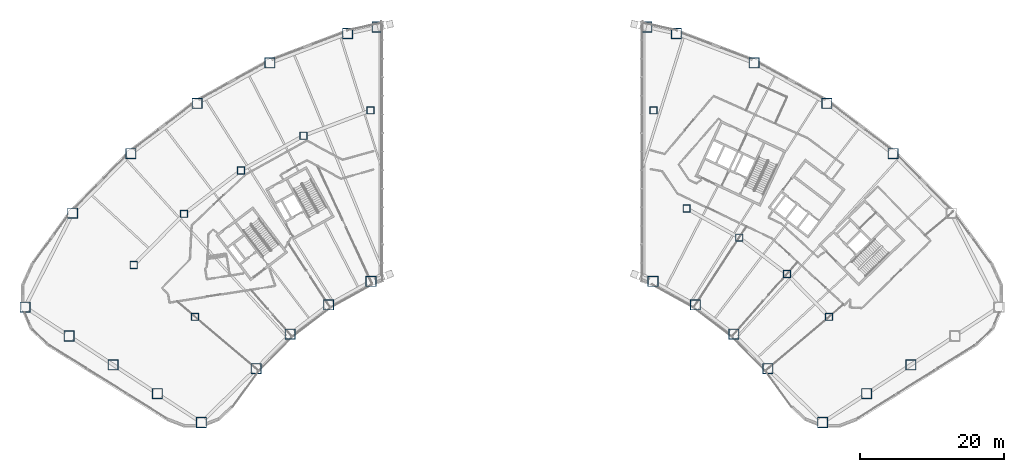
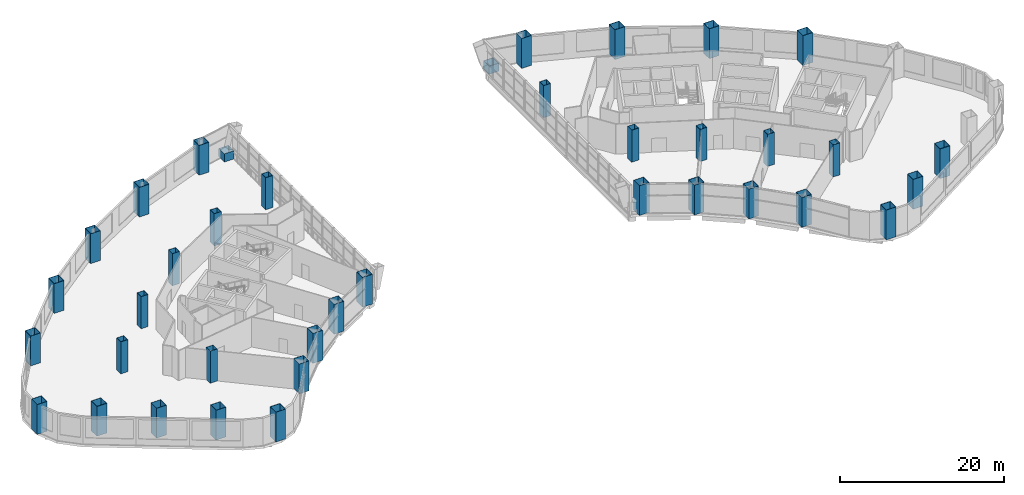
# One storey, part 1 of 26: 38 columns.
"""IFC4 building model written with IfcOpenShell, lengths in metres."""

import ifcopenshell
import ifcopenshell.guid

model = None  # the IFC model being written
_history = None  # IfcOwnerHistory: only IFC2X3 demands one
_inside = {}  # id of a spatial element -> (the spatial element, [elements in it])
_under = {}  # id of a project, library or spatial element -> (it, [spatial elements below it])
_declared = {}  # id of a project -> (the project, [libraries it declares])
_typed = {}  # id of a type object -> (the type object, [elements of that type])
_made_of = {}  # id of a material, layer set ... -> (it, [elements and type objects made of it])


def new_model(schema):
    """Start an empty IFC model of exactly this schema.

    Asked for "IFC4X3", IfcOpenShell would pick the latest addendum, in which some entities
    have other attributes; the version numbers below select the first issue.
    IFC2X3 requires an IfcOwnerHistory on every rooted entity: one is made here for all.
    """
    global model, _history
    if schema == "IFC4X3":
        model = ifcopenshell.file(schema_version=(4, 3, 0, 0))
    else:
        model = ifcopenshell.file(schema=schema)
    _inside.clear()
    _under.clear()
    _declared.clear()
    _typed.clear()
    _made_of.clear()
    _history = None
    if model.schema == "IFC2X3":
        org = make("IfcOrganization", Name="unknown")
        user = make(
            "IfcPersonAndOrganization",
            ThePerson=make("IfcPerson", FamilyName="unknown"),
            TheOrganization=org,
        )
        app = make(
            "IfcApplication",
            ApplicationDeveloper=org,
            Version="unknown",
            ApplicationFullName="unknown",
            ApplicationIdentifier="unknown",
        )
        _history = make(
            "IfcOwnerHistory",
            OwningUser=user,
            OwningApplication=app,
            ChangeAction="ADDED",
            CreationDate=0,
        )
    return model


def make(cls, **values):
    """One entity of the class cls with the attributes given. An attribute that is None is left unset."""
    return model.create_entity(
        cls, **{name: value for name, value in values.items() if value is not None}
    )


def rooted(cls, **values):
    """An entity with a GlobalId (a new one), such as an element, a storey or a relation."""
    return make(cls, GlobalId=ifcopenshell.guid.new(), OwnerHistory=_history, **values)


def si_unit(unit_type, name, prefix=None):
    """IfcSIUnit, for example si_unit("LENGTHUNIT", "METRE", prefix="MILLI")."""
    return make("IfcSIUnit", UnitType=unit_type, Prefix=prefix, Name=name)


def assignment(units):
    """IfcUnitAssignment: the units of a project."""
    return None if units is None else make("IfcUnitAssignment", Units=units)


def point(xyz):
    """IfcCartesianPoint."""
    return None if xyz is None else make("IfcCartesianPoint", Coordinates=xyz)


def direction(xyz):
    """IfcDirection."""
    return None if xyz is None else make("IfcDirection", DirectionRatios=xyz)


def frame(location, z_axis=None, x_axis=None):
    """IfcAxis2Placement3D, a coordinate frame: its origin and axes. An axis left out is left unset."""
    return make(
        "IfcAxis2Placement3D",
        Location=point(location),
        Axis=direction(z_axis),
        RefDirection=direction(x_axis),
    )


def frame_2d(location, x_axis=None):
    """IfcAxis2Placement2D, a coordinate frame in the plane: its origin and x axis."""
    return make(
        "IfcAxis2Placement2D", Location=point(location), RefDirection=direction(x_axis)
    )


def origin():
    """The frame at (0, 0, 0) with its axes left unset."""
    return frame((0.0, 0.0, 0.0))


def origin_2d():
    """The frame at (0, 0) in the plane with its x axis left unset."""
    return frame_2d((0.0, 0.0))


def place(relative_to, where):
    """IfcLocalPlacement: puts the frame where relative to a parent placement (None: the world)."""
    return make(
        "IfcLocalPlacement", PlacementRelTo=relative_to, RelativePlacement=where
    )


def context(
    kind, dimensions, precision=None, world=None, true_north=None, identifier=None
):
    """IfcGeometricRepresentationContext, for example the 3D "Model" context."""
    return make(
        "IfcGeometricRepresentationContext",
        ContextIdentifier=identifier,
        ContextType=kind,
        CoordinateSpaceDimension=dimensions,
        Precision=precision,
        WorldCoordinateSystem=world,
        TrueNorth=true_north,
    )


def subcontext(parent, identifier, kind, view, scale=None):
    """IfcGeometricRepresentationSubContext, for example "Body" below "Model"."""
    return make(
        "IfcGeometricRepresentationSubContext",
        ContextIdentifier=identifier,
        ContextType=kind,
        ParentContext=parent,
        TargetScale=scale,
        TargetView=view,
    )


def project(units=None, contexts=None):
    """IfcProject with its units and contexts."""
    return rooted(
        "IfcProject",
        Name="project",
        RepresentationContexts=contexts,
        UnitsInContext=assignment(units),
    )


def spatial(cls, under=None, at=None, **own):
    """A site, building, storey or space (cls), placed at a placement, below another one or the project."""
    s = rooted(cls, ObjectPlacement=at, **own)
    if under is not None:
        _under.setdefault(under.id(), (under, []))[1].append(s)
    return s


def profile(cls, at=None, kind="AREA", **sizes):
    """A parametric profile (cls). Its sizes go by their IFC names, for example OverallWidth=200.0."""
    return make(cls, ProfileType=kind, Position=at, **sizes)


def hollow_rectangle(**sizes):
    """IfcRectangleHollowProfileDef."""
    return profile("IfcRectangleHollowProfileDef", **sizes)


def extrude(swept, where, along, depth):
    """IfcExtrudedAreaSolid: the profile swept, set in the frame where, extruded along a direction by depth."""
    return make(
        "IfcExtrudedAreaSolid",
        SweptArea=swept,
        Position=where,
        ExtrudedDirection=direction(along),
        Depth=depth,
    )


def shape(context_of_items, identifier, shape_type, items):
    """IfcShapeRepresentation: the items that make up one representation, for example the "Body"."""
    return make(
        "IfcShapeRepresentation",
        ContextOfItems=context_of_items,
        RepresentationIdentifier=identifier,
        RepresentationType=shape_type,
        Items=items,
    )


def material(Name=None, Category=None):
    """IfcMaterial."""
    return make("IfcMaterial", Name=Name, Category=Category)


def material_profile(
    of_material, cross_section, Name=None, Category=None, Priority=None
):
    """IfcMaterialProfile: a cross section and its material."""
    return make(
        "IfcMaterialProfile",
        Name=Name,
        Material=of_material,
        Profile=cross_section,
        Priority=Priority,
        Category=Category,
    )


def profile_set(profiles, Name=None, composite=None):
    """IfcMaterialProfileSet."""
    return make(
        "IfcMaterialProfileSet",
        Name=Name,
        MaterialProfiles=profiles,
        CompositeProfile=composite,
    )


def made_of(thing, what):
    """Note that an element or type object is made of a material, layer set ...; save() writes the relation."""
    if what is not None:
        _made_of.setdefault(what.id(), (what, []))[1].append(thing)
    return thing


def type_object(cls, material=None, **own):
    """A type object (cls), such as IfcWallType, which elements share."""
    return made_of(rooted(cls, **own), material)


def element(
    cls,
    number,
    at=None,
    inside=None,
    cuts=None,
    type_object=None,
    material=None,
    context=None,
    identifier="Body",
    shape_type=None,
    held_by="IfcProductDefinitionShape",
    body=None,
    shapes=None,
    **own,
):
    """One element of the class cls, such as IfcWall. Its Tag is "e" and its number.

    at: its placement. inside: the storey or other place that contains it. cuts: it is an
    opening in that element (IfcRelVoidsElement). A single representation is given by context,
    identifier, shape_type and body (its items); several are given by shapes. held_by: the class
    of the entity that holds the representations. save() writes the other relations.
    """
    e = rooted(cls, Tag="e%d" % number, ObjectPlacement=at, **own)
    if body is not None:
        shapes = [shape(context, identifier, shape_type, body)]
    if shapes is not None:
        e.Representation = make(held_by, Representations=shapes)
    if inside is not None:
        _inside.setdefault(inside.id(), (inside, []))[1].append(e)
    if cuts is not None:
        rooted(
            "IfcRelVoidsElement", RelatingBuildingElement=cuts, RelatedOpeningElement=e
        )
    if type_object is not None:
        _typed.setdefault(type_object.id(), (type_object, []))[1].append(e)
    return made_of(e, material)


def aggregate(whole, parts):
    """IfcRelAggregates: a whole, such as a stair, and the parts it consists of."""
    return rooted("IfcRelAggregates", RelatingObject=whole, RelatedObjects=parts)


def save(model, path):
    """Write the relations noted so far, then the file.

    IfcRelAggregates (storeys below a building ...), IfcRelContainedInSpatialStructure (elements
    in a storey), IfcRelDefinesByType, IfcRelAssociatesMaterial and IfcRelDeclares: one each for
    every whole, place, type object, material and project.
    """
    for whole, parts in _under.values():
        aggregate(whole, parts)
    for where, things in _inside.values():
        rooted(
            "IfcRelContainedInSpatialStructure",
            RelatedElements=things,
            RelatingStructure=where,
        )
    for kind, things in _typed.values():
        rooted("IfcRelDefinesByType", RelatedObjects=things, RelatingType=kind)
    for what, things in _made_of.values():
        rooted("IfcRelAssociatesMaterial", RelatedObjects=things, RelatingMaterial=what)
    for by, libraries in _declared.values():
        rooted("IfcRelDeclares", RelatingContext=by, RelatedDefinitions=libraries)
    model.write(path)


model = new_model("IFC4")

# Units and contexts
model_context = context("Model", 3, precision=1e-05, world=origin(), true_north=direction((0.0, 1.0)))
body_context = subcontext(model_context, "Body", "Model", "MODEL_VIEW")
ifc_project = project(units=[si_unit("LENGTHUNIT", "METRE"), si_unit("AREAUNIT", "SQUARE_METRE"), si_unit("VOLUMEUNIT", "CUBIC_METRE"), si_unit("PLANEANGLEUNIT", "RADIAN"), si_unit("MASSUNIT", "GRAM", prefix="KILO")], contexts=[model_context])

# Site, building, storey
site_placement = place(None, origin())
site = spatial("IfcSite", under=ifc_project, at=site_placement, CompositionType="ELEMENT")
building_placement = place(site_placement, origin())
building = spatial("IfcBuilding", under=site, at=building_placement, Name="Tuul Gate Civic Tower", CompositionType="ELEMENT")
storey_placement = place(building_placement, frame((0.0, 0.0, 7.5)))
storey = spatial("IfcBuildingStorey", under=building, at=storey_placement, Name="Level 01", CompositionType="ELEMENT", Elevation=7.5)

# Columns
ifc_material_1 = material(Name="Steel S355", Category="steel")
ifc_material_profile_1 = material_profile(ifc_material_1, hollow_rectangle(XDim=1.0, YDim=1.0, WallThickness=0.0400390625, at=origin_2d()), Name="BOX1000x1000x40")
ifc_profile_set_1 = profile_set([ifc_material_profile_1], Name="Steel S355")
column_type_1 = type_object("IfcColumnType", Name="STR-COLUMN-BOX1000x1000x40", PredefinedType="COLUMN", material=ifc_profile_set_1)
for number, where, z_axis, x_axis, name in (
    (1, (-52.471435546875, -15.52392578125, 0.0), (0.0, 0.0, 1.0), (1.0, 0.0, 0.0), "Interior column"),
    (2, (-45.513916015625, -8.42626953125, 0.0), (0.0, 0.0, 1.0), (1.0, 0.0, 0.0), "Interior column"),
    (3, (-37.606689453125, -2.40576171875, 0.0), (0.0, 0.0, 1.0), (1.0, 0.0, 0.0), "Interior column"),
    (4, (-28.9140625, 2.4130859375, 0.0), (0.0, 0.0, 1.0), (1.0, 0.0, 0.0), "Interior column"),
    (5, (-19.617919921875, 5.927978515625, 0.0), (0.0, 0.0, 1.0), (1.0, 0.0, 0.0), "Interior column"),
    (6, (19.617919921875, 5.927978515625, 0.0), (0.0, 0.0, 1.0), (1.0, 0.0, 0.0), "Interior column"),
    (7, (-43.981689453125, -22.719970703125, 0.0), (0.0, 0.0, 1.0), (1.0, 0.0, 0.0), "Interior column"),
    (8, (24.236083984375, -7.68505859375, 0.0), (0.0, 0.0, 1.0), (1.0, 0.0, 0.0), "Interior column"),
    (9, (31.522216796875, -11.724365234375, 0.0), (0.0, 0.0, 1.0), (1.0, 0.0, 0.0), "Interior column"),
    (10, (38.14990234375, -16.770751953125, 0.0), (0.0, 0.0, 1.0), (1.0, 0.0, 0.0), "Interior column"),
    (11, (43.981689453125, -22.719970703125, 0.0), (0.0, 0.0, 1.0), (1.0, 0.0, 0.0), "Interior column"),
):
    element("IfcColumn", number, at=place(storey_placement, frame(where, z_axis=z_axis, x_axis=x_axis)), inside=storey, type_object=column_type_1, Name=name, PredefinedType="COLUMN", context=body_context, shape_type="SweptSolid", body=[
        extrude(hollow_rectangle(XDim=1.0, YDim=1.0, WallThickness=0.0400390625, at=origin_2d()), origin(), (0.0, 0.0, 1.0), 4.800048828125),
    ])
ifc_material_2 = material(Name="Steel S355", Category="steel")
ifc_material_profile_2 = material_profile(ifc_material_2, hollow_rectangle(XDim=1.39990234375, YDim=1.39990234375, WallThickness=0.0400390625, at=origin_2d()), Name="BOX1400x1400x40")
ifc_profile_set_2 = profile_set([ifc_material_profile_2], Name="Steel S355")
column_type_2 = type_object("IfcColumnType", Name="STR-COLUMN-BOX1400x1400x40", PredefinedType="COLUMN", material=ifc_profile_set_2)
column_1_placement = place(storey_placement, frame((-18.699951171875, 17.496826171875, 0.0), z_axis=(0.0, 0.0, 1.0), x_axis=(1.0, 0.0, 0.0)))
element("IfcColumn", 12, at=column_1_placement, inside=storey, type_object=column_type_2, Name="Arch jamb column", PredefinedType="COLUMN", context=body_context, shape_type="SweptSolid", body=[
    extrude(hollow_rectangle(XDim=1.39990234375, YDim=1.39990234375, WallThickness=0.0400390625, at=origin_2d()), origin(), (0.0, 0.0, 1.0), 1.199951171875),
])
column_2_placement = place(storey_placement, frame((-19.55810546875, -17.782958984375, 0.0), z_axis=(0.0, 0.0, 1.0), x_axis=(1.0, 0.0, 0.0)))
element("IfcColumn", 13, at=column_2_placement, inside=storey, type_object=column_type_2, Name="Arch jamb column", PredefinedType="COLUMN", context=body_context, shape_type="SweptSolid", body=[
    extrude(hollow_rectangle(XDim=1.39990234375, YDim=1.39990234375, WallThickness=0.0400390625, at=origin_2d()), origin(), (0.0, 0.0, 1.0), 4.449951171875),
])
column_3_placement = place(storey_placement, frame((18.699951171875, 17.496826171875, 0.0), z_axis=(0.0, 0.0, 1.0), x_axis=(1.0, 0.0, 0.0)))
element("IfcColumn", 14, at=column_3_placement, inside=storey, type_object=column_type_2, Name="Arch jamb column", PredefinedType="COLUMN", context=body_context, shape_type="SweptSolid", body=[
    extrude(hollow_rectangle(XDim=1.39990234375, YDim=1.39990234375, WallThickness=0.0400390625, at=origin_2d()), origin(), (0.0, 0.0, 1.0), 1.199951171875),
])
for number, where, z_axis, x_axis, name in (
    (15, (19.55810546875, -17.782958984375, 0.0), (0.0, 0.0, 1.0), (1.0, 0.0, 0.0), "Arch jamb column"),
    (16, (52.8779296875, -0.08203125, 0.0), (0.0, 0.0, 1.0), (1.0, 0.0, 0.0), "Column"),
    (17, (43.69091796875, 6.9130859375, 0.0), (0.0, 0.0, 1.0), (1.0, 0.0, 0.0), "Column"),
    (18, (33.592041015625, 12.510986328125, 0.0), (0.0, 0.0, 1.0), (1.0, 0.0, 0.0), "Column"),
    (19, (22.7919921875, 16.594970703125, 0.0), (0.0, 0.0, 1.0), (1.0, 0.0, 0.0), "Column"),
    (20, (-22.7919921875, 16.594970703125, 0.0), (0.0, 0.0, 1.0), (1.0, 0.0, 0.0), "Column"),
    (21, (-33.592041015625, 12.510986328125, 0.0), (0.0, 0.0, 1.0), (1.0, 0.0, 0.0), "Column"),
    (22, (-43.69091796875, 6.9130859375, 0.0), (0.0, 0.0, 1.0), (1.0, 0.0, 0.0), "Column"),
    (23, (-52.8779296875, -0.08203125, 0.0), (0.0, 0.0, 1.0), (1.0, 0.0, 0.0), "Column"),
    (24, (-60.9609375, -8.327880859375, 0.0), (0.0, 0.0, 1.0), (1.0, 0.0, 0.0), "Column"),
    (25, (-67.56201171875, -21.366943359375, 0.0), (0.0, 0.0, 1.0), (1.0, 0.0, 0.0), "Column"),
    (26, (-61.447021484375, -25.368896484375, 0.0), (0.0, 0.0, 1.0), (1.0, 0.0, 0.0), "Column"),
    (27, (-55.33203125, -29.37109375, 0.0), (0.0, 0.0, 1.0), (1.0, 0.0, 0.0), "Column"),
    (28, (-49.218017578125, -33.3720703125, 0.0), (0.0, 0.0, 1.0), (1.0, 0.0, 0.0), "Column"),
    (29, (-43.10302734375, -37.3740234375, 0.0), (0.0, 0.0, 1.0), (1.0, 0.0, 0.0), "Column"),
    (30, (-35.491943359375, -29.916015625, 0.0), (0.0, 0.0, 1.0), (1.0, 0.0, 0.0), "Column"),
    (31, (-30.785888671875, -25.114990234375, 0.0), (0.0, 0.0, 1.0), (1.0, 0.0, 0.0), "Column"),
    (32, (-25.43798828125, -21.04296875, 0.0), (0.0, 0.0, 1.0), (1.0, 0.0, 0.0), "Column"),
    (33, (25.43798828125, -21.04296875, 0.0), (0.0, 0.0, 1.0), (1.0, 0.0, 0.0), "Column"),
    (34, (30.785888671875, -25.114990234375, 0.0), (0.0, 0.0, 1.0), (1.0, 0.0, 0.0), "Column"),
    (35, (35.491943359375, -29.916015625, 0.0), (0.0, 0.0, 1.0), (1.0, 0.0, 0.0), "Column"),
    (36, (43.10302734375, -37.3740234375, 0.0), (0.0, 0.0, 1.0), (1.0, 0.0, 0.0), "Column"),
    (37, (49.218017578125, -33.3720703125, 0.0), (0.0, 0.0, 1.0), (1.0, 0.0, 0.0), "Column"),
    (38, (55.33203125, -29.37109375, 0.0), (0.0, 0.0, 1.0), (1.0, 0.0, 0.0), "Column"),
):
    element("IfcColumn", number, at=place(storey_placement, frame(where, z_axis=z_axis, x_axis=x_axis)), inside=storey, type_object=column_type_2, Name=name, PredefinedType="COLUMN", context=body_context, shape_type="SweptSolid", body=[
        extrude(hollow_rectangle(XDim=1.39990234375, YDim=1.39990234375, WallThickness=0.0400390625, at=origin_2d()), origin(), (0.0, 0.0, 1.0), 4.449951171875),
    ])

save(model, "model.ifc")
